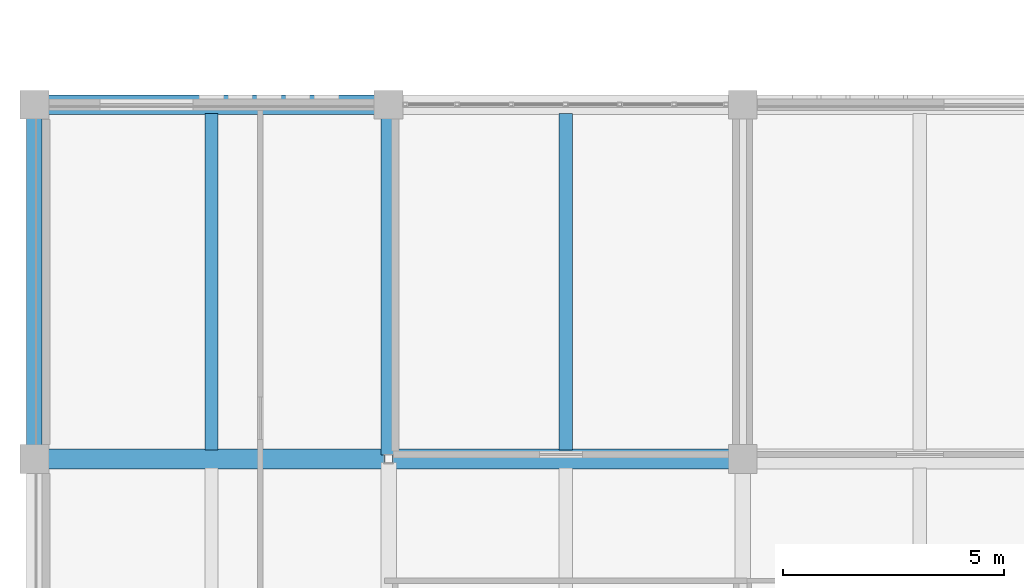
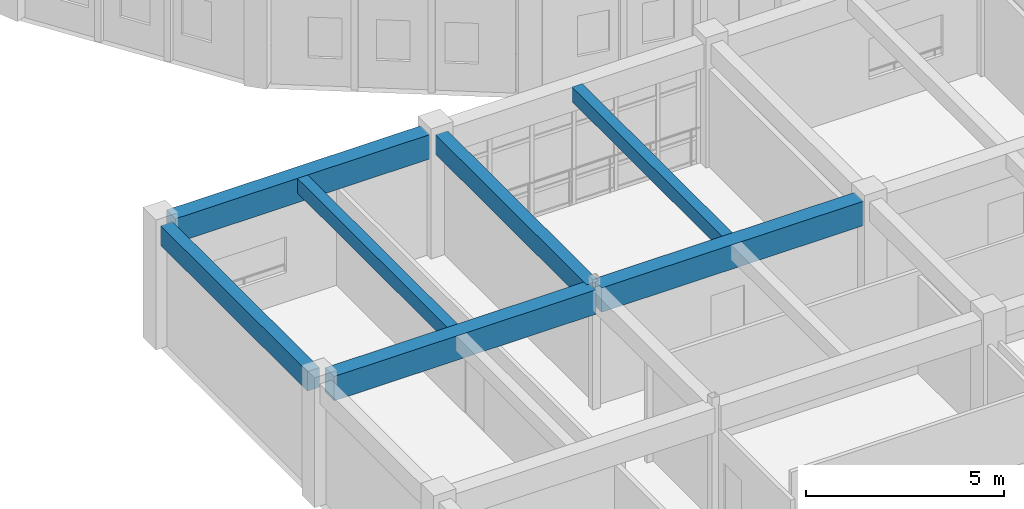
# One storey, part 55 of 149: 7 beams.
"""IFC4 building model written with IfcOpenShell, lengths in metres."""

from ifc_helpers import new_model, si_unit, direction, frame, origin, origin_2d, place, context, subcontext, project, spatial, rectangle, extrude, material, material_profile, profile_set, type_object, element, save


model = new_model("IFC4")

# Units and contexts
model_context = context("Model", 3, precision=1e-05, world=origin(), true_north=direction((0.0, 1.0)))
body_context = subcontext(model_context, "Body", "Model", "MODEL_VIEW")
ifc_project = project(units=[si_unit("LENGTHUNIT", "METRE"), si_unit("AREAUNIT", "SQUARE_METRE"), si_unit("VOLUMEUNIT", "CUBIC_METRE"), si_unit("PLANEANGLEUNIT", "RADIAN"), si_unit("MASSUNIT", "GRAM", prefix="KILO")], contexts=[model_context])

# Site, building, storey
site_placement = place(None, origin())
site = spatial("IfcSite", under=ifc_project, at=site_placement, CompositionType="ELEMENT")
building_placement = place(site_placement, origin())
building = spatial("IfcBuilding", under=site, at=building_placement, Name="Celadon Cloister-Ring School", CompositionType="ELEMENT")
storey_placement = place(building_placement, frame((0.0, 0.0, 12.5)))
storey = spatial("IfcBuildingStorey", under=building, at=storey_placement, Name="L03", CompositionType="ELEMENT", Elevation=12.5)

# Beams
ifc_material_1 = material(Name="Concrete C35/45", Category="concrete")
ifc_material_profile_1 = material_profile(ifc_material_1, rectangle(XDim=0.35009765625, YDim=0.60009765625, at=origin_2d()), Name="RC350X600")
ifc_profile_set_1 = profile_set([ifc_material_profile_1], Name="Concrete C35/45")
beam_type_1 = type_object("IfcBeamType", Name="BT-02", PredefinedType="BEAM", material=ifc_profile_set_1)
beam_1_placement = place(storey_placement, frame((0.0, 68.300048828125, 3.4599609375), z_axis=(0.0, 1.0, 0.0), x_axis=(-1.0, 0.0, 0.0)))
element("IfcBeam", 1, at=beam_1_placement, inside=storey, type_object=beam_type_1, Name="Beam 1624", PredefinedType="BEAM", context=body_context, shape_type="SweptSolid", body=[
    extrude(rectangle(XDim=0.35009765625, YDim=0.60009765625, at=origin_2d()), origin(), (0.0, 0.0, 1.0), 7.39990234375),
])
beam_2_placement = place(storey_placement, frame((8.0, 68.0849609375, 3.4599609375), z_axis=(0.0, 1.0, 0.0), x_axis=(-1.0, 0.0, 0.0)))
element("IfcBeam", 2, at=beam_2_placement, inside=storey, type_object=beam_type_1, Name="Beam 1626", PredefinedType="BEAM", context=body_context, shape_type="SweptSolid", body=[
    extrude(rectangle(XDim=0.35009765625, YDim=0.60009765625, at=origin_2d()), origin(), (0.0, 0.0, 1.0), 7.614990234375),
])
ifc_material_2 = material(Name="Concrete C35/45", Category="concrete")
ifc_material_profile_2 = material_profile(ifc_material_2, rectangle(XDim=0.449951171875, YDim=0.75, at=origin_2d()), Name="RC450X750")
ifc_profile_set_2 = profile_set([ifc_material_profile_2], Name="Concrete C35/45")
beam_type_2 = type_object("IfcBeamType", Name="GT-02", PredefinedType="USERDEFINED", material=ifc_profile_set_2)
for number, where, z_axis, x_axis, name in (
    (3, (0.300048828125, 68.0, 3.385009765625), (1.0, 0.0, 0.0), (0.0, 1.0, 0.0), "Beam 1612"),
    (4, (8.0849609375, 68.0, 3.385009765625), (1.0, 0.0, 0.0), (0.0, 1.0, 0.0), "Beam 1613"),
):
    element("IfcBeam", number, at=place(storey_placement, frame(where, z_axis=z_axis, x_axis=x_axis)), inside=storey, type_object=beam_type_2, Name=name, ObjectType="GIRDER", PredefinedType="USERDEFINED", context=body_context, shape_type="SweptSolid", body=[
        extrude(rectangle(XDim=0.449951171875, YDim=0.75, at=origin_2d()), origin(), (0.0, 0.0, 1.0), 7.614990234375),
    ])
beam_3_placement = place(storey_placement, frame((0.300048828125, 76.0, 3.385009765625), z_axis=(1.0, 0.0, 0.0), x_axis=(0.0, 1.0, 0.0)))
element("IfcBeam", 5, at=beam_3_placement, inside=storey, type_object=beam_type_2, Name="Beam 1616", ObjectType="GIRDER", PredefinedType="USERDEFINED", context=body_context, shape_type="SweptSolid", body=[
    extrude(rectangle(XDim=0.449951171875, YDim=0.75, at=origin_2d()), origin(), (0.0, 0.0, 1.0), 7.39990234375),
])
ifc_material_3 = material(Name="Concrete C35/45", Category="concrete")
ifc_material_profile_3 = material_profile(ifc_material_3, rectangle(XDim=0.300048828125, YDim=0.449951171875, at=origin_2d()), Name="RC300X450")
ifc_profile_set_3 = profile_set([ifc_material_profile_3], Name="Concrete C35/45")
beam_type_3 = type_object("IfcBeamType", Name="JT-01", PredefinedType="JOIST", material=ifc_profile_set_3)
for number, where, z_axis, x_axis, name in (
    (6, (4.0, 68.199951171875, 3.534912109375), (0.0, 1.0, 0.0), (-1.0, 0.0, 0.0), "Beam 1640"),
    (7, (12.0, 68.199951171875, 3.534912109375), (0.0, 1.0, 0.0), (-1.0, 0.0, 0.0), "Beam 1642"),
):
    element("IfcBeam", number, at=place(storey_placement, frame(where, z_axis=z_axis, x_axis=x_axis)), inside=storey, type_object=beam_type_3, Name=name, PredefinedType="JOIST", context=body_context, shape_type="SweptSolid", body=[
        extrude(rectangle(XDim=0.300048828125, YDim=0.449951171875, at=origin_2d()), origin(), (0.0, 0.0, 1.0), 7.60009765625),
    ])

save(model, "model.ifc")
